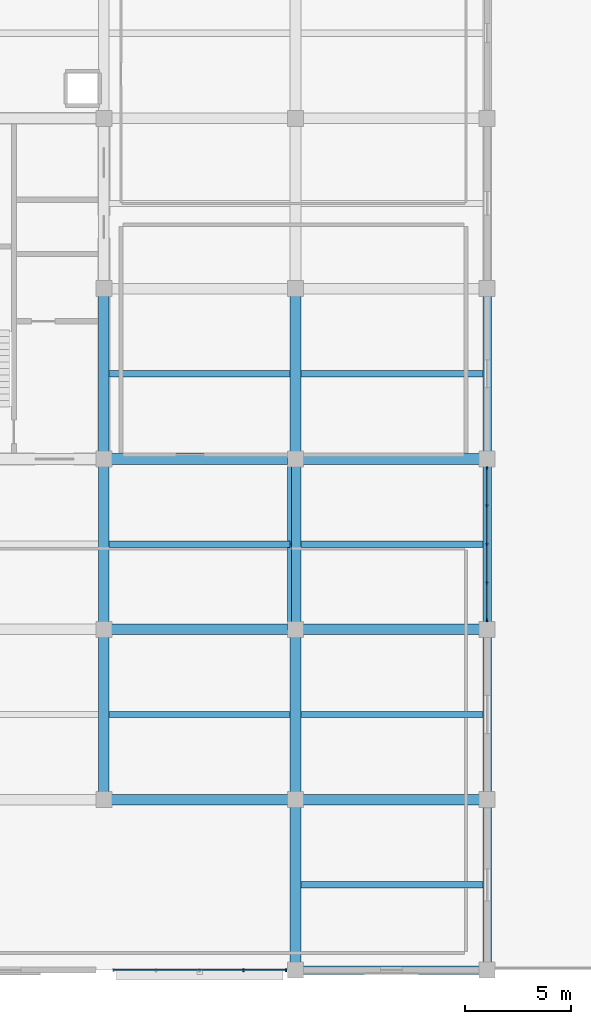
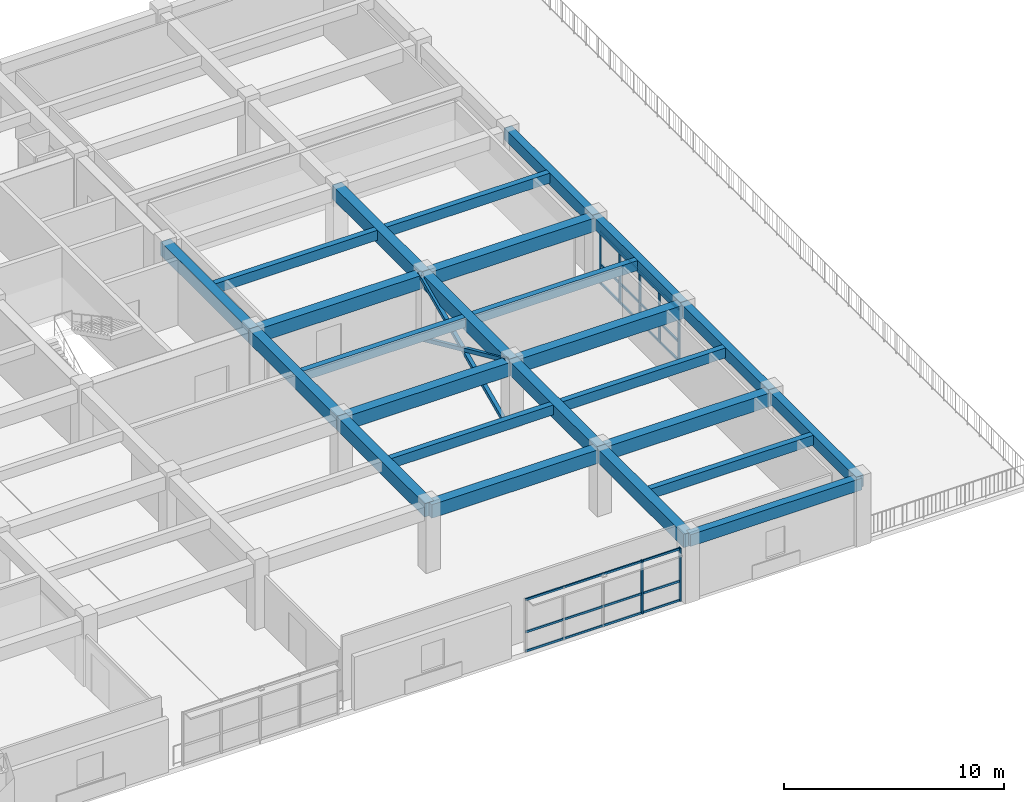
# One storey, part 6 of 15: 25 beams, 15 members, 2 elements without a shape of their own.
"""IFC4 building model written with IfcOpenShell, lengths in metres."""

from ifc_helpers import new_model, si_unit, direction, frame, origin, origin_2d, place, context, subcontext, project, spatial, rectangle, hollow_rectangle, extrude, material, material_profile, profile_set, type_object, element, aggregate, save


model = new_model("IFC4")

# Units and contexts
model_context = context("Model", 3, precision=1e-05, world=origin(), true_north=direction((0.0, 1.0)))
body_context = subcontext(model_context, "Body", "Model", "MODEL_VIEW")
ifc_project = project(units=[si_unit("LENGTHUNIT", "METRE"), si_unit("AREAUNIT", "SQUARE_METRE"), si_unit("VOLUMEUNIT", "CUBIC_METRE"), si_unit("PLANEANGLEUNIT", "RADIAN"), si_unit("MASSUNIT", "GRAM", prefix="KILO")], contexts=[model_context])

# Site, building, storey
site_placement = place(None, origin())
site = spatial("IfcSite", under=ifc_project, at=site_placement, CompositionType="ELEMENT")
building_placement = place(site_placement, origin())
building = spatial("IfcBuilding", under=site, at=building_placement, Name="Zaverband Oceanarium and Marine Research Institute", CompositionType="ELEMENT")
storey_placement = place(building_placement, frame((0.0, 0.0, 45.300048828125)))
storey = spatial("IfcBuildingStorey", under=building, at=storey_placement, Name="L11", CompositionType="ELEMENT", Elevation=45.300048828125)

# Beams
ifc_material_1 = material(Name="Concrete C40/50", Category="concrete")
ifc_material_profile_1 = material_profile(ifc_material_1, rectangle(XDim=0.5, YDim=0.75, at=origin_2d()), Name="RC500x750")
ifc_profile_set_1 = profile_set([ifc_material_profile_1], Name="Concrete C40/50")
beam_type_1 = type_object("IfcBeamType", Name="BM-500x750", PredefinedType="BEAM", material=ifc_profile_set_1)
for number, where, z_axis, x_axis, name in (
    (1, (45.0, 72.0, 3.244873046875), (1.0, 0.0, 0.0), (0.0, 1.0, 0.0), "Primary floor girder BM-500x750"),
    (2, (54.0, 72.0, 3.244873046875), (1.0, 0.0, 0.0), (0.0, 1.0, 0.0), "Primary floor girder BM-500x750"),
    (3, (45.0, 80.0, 3.244873046875), (1.0, 0.0, 0.0), (0.0, 1.0, 0.0), "Primary floor girder BM-500x750"),
    (4, (54.0, 80.0, 3.244873046875), (1.0, 0.0, 0.0), (0.0, 1.0, 0.0), "Primary floor girder BM-500x750"),
    (5, (45.0, 88.0, 3.244873046875), (1.0, 0.0, 0.0), (0.0, 1.0, 0.0), "Primary floor girder BM-500x750"),
    (6, (54.0, 88.0, 3.244873046875), (1.0, 0.0, 0.0), (0.0, 1.0, 0.0), "Primary floor girder BM-500x750"),
):
    element("IfcBeam", number, at=place(storey_placement, frame(where, z_axis=z_axis, x_axis=x_axis)), inside=storey, type_object=beam_type_1, Name=name, PredefinedType="BEAM", context=body_context, shape_type="SweptSolid", body=[
        extrude(rectangle(XDim=0.5, YDim=0.75, at=origin_2d()), origin(), (0.0, 0.0, 1.0), 9.0),
    ])
for number, where, z_axis, x_axis, name in (
    (7, (45.0, 72.0, 3.244873046875), (0.0, 1.0, 0.0), (-1.0, 0.0, 0.0), "Primary floor girder BM-500x750"),
    (8, (45.0, 80.0, 3.244873046875), (0.0, 1.0, 0.0), (-1.0, 0.0, 0.0), "Primary floor girder BM-500x750"),
    (9, (45.0, 88.0, 3.244873046875), (0.0, 1.0, 0.0), (-1.0, 0.0, 0.0), "Primary floor girder BM-500x750"),
    (10, (54.0, 64.0, 3.244873046875), (0.0, 1.0, 0.0), (-1.0, 0.0, 0.0), "Primary floor girder BM-500x750"),
    (11, (54.0, 72.0, 3.244873046875), (0.0, 1.0, 0.0), (-1.0, 0.0, 0.0), "Primary floor girder BM-500x750"),
    (12, (54.0, 80.0, 3.244873046875), (0.0, 1.0, 0.0), (-1.0, 0.0, 0.0), "Primary floor girder BM-500x750"),
    (13, (54.0, 88.0, 3.244873046875), (0.0, 1.0, 0.0), (-1.0, 0.0, 0.0), "Primary floor girder BM-500x750"),
):
    element("IfcBeam", number, at=place(storey_placement, frame(where, z_axis=z_axis, x_axis=x_axis)), inside=storey, type_object=beam_type_1, Name=name, PredefinedType="BEAM", context=body_context, shape_type="SweptSolid", body=[
        extrude(rectangle(XDim=0.5, YDim=0.75, at=origin_2d()), origin(), (0.0, 0.0, 1.0), 8.0),
    ])

# Members
ifc_material_2 = material(Name="Steel S355", Category="steel")
ifc_material_profile_2 = material_profile(ifc_material_2, hollow_rectangle(XDim=0.199951171875, YDim=0.199951171875, WallThickness=0.010009765625, at=origin_2d()), Name="SHS200x200x10")
ifc_profile_set_2 = profile_set([ifc_material_profile_2], Name="Steel S355")
member_type_1 = type_object("IfcMemberType", Name="BR-03", PredefinedType="BRACE", material=ifc_profile_set_2)
for number, where, z_axis, x_axis, name in (
    (14, (53.719970703125, 80.0, 0.0), (0.0, 0.911072618573, 0.412245901965), (-1.0, 0.0, 0.0), "Diagonal lateral brace BR-03"),
    (15, (53.719970703125, 88.0, 0.0), (0.0, -0.911072618573, 0.412245901965), (1.0, 0.0, 0.0), "Diagonal lateral brace BR-03"),
):
    element("IfcMember", number, at=place(storey_placement, frame(where, z_axis=z_axis, x_axis=x_axis)), inside=storey, type_object=member_type_1, Name=name, PredefinedType="BRACE", context=body_context, shape_type="SweptSolid", body=[
        extrude(hollow_rectangle(XDim=0.199951171875, YDim=0.199951171875, WallThickness=0.010009765625, at=origin_2d()), origin(), (0.0, 0.0, 1.0), 8.78076171875),
    ])

# Beams
ifc_material_profile_3 = material_profile(ifc_material_1, rectangle(XDim=0.300048828125, YDim=0.550048828125, at=origin_2d()), Name="RC300x550")
ifc_profile_set_3 = profile_set([ifc_material_profile_3], Name="Concrete C40/50")
beam_type_2 = type_object("IfcBeamType", Name="JST-300x550", PredefinedType="JOIST", material=ifc_profile_set_3)
for number, where, z_axis, x_axis, name in (
    (16, (45.25, 76.0, 3.344970703125), (1.0, 0.0, 0.0), (0.0, 1.0, 0.0), "Secondary floor joist JST-300x550"),
    (17, (45.25, 84.0, 3.344970703125), (1.0, 0.0, 0.0), (0.0, 1.0, 0.0), "Secondary floor joist JST-300x550"),
    (18, (45.25, 92.0, 3.344970703125), (1.0, 0.0, 0.0), (0.0, 1.0, 0.0), "Secondary floor joist JST-300x550"),
):
    element("IfcBeam", number, at=place(storey_placement, frame(where, z_axis=z_axis, x_axis=x_axis)), inside=storey, type_object=beam_type_2, Name=name, PredefinedType="JOIST", context=body_context, shape_type="SweptSolid", body=[
        extrude(rectangle(XDim=0.300048828125, YDim=0.550048828125, at=origin_2d()), origin(), (0.0, 0.0, 1.0), 8.5),
    ])
for number, where, z_axis, x_axis, name in (
    (19, (54.25, 68.0, 3.344970703125), (1.0, 0.0, 0.0), (0.0, 1.0, 0.0), "Secondary floor joist JST-300x550"),
    (20, (54.25, 76.0, 3.344970703125), (1.0, 0.0, 0.0), (0.0, 1.0, 0.0), "Secondary floor joist JST-300x550"),
    (21, (54.25, 84.0, 3.344970703125), (1.0, 0.0, 0.0), (0.0, 1.0, 0.0), "Secondary floor joist JST-300x550"),
    (22, (54.25, 92.0, 3.344970703125), (1.0, 0.0, 0.0), (0.0, 1.0, 0.0), "Secondary floor joist JST-300x550"),
):
    element("IfcBeam", number, at=place(storey_placement, frame(where, z_axis=z_axis, x_axis=x_axis)), inside=storey, type_object=beam_type_2, Name=name, PredefinedType="JOIST", context=body_context, shape_type="SweptSolid", body=[
        extrude(rectangle(XDim=0.300048828125, YDim=0.550048828125, at=origin_2d()), origin(), (0.0, 0.0, 1.0), 8.550048828125),
    ])

# Curtain wall, members
ifc_material_3 = material(Name="Thermally broken anodized aluminium and solar-control glass", Category="aluminium")
curtain_wall_type = type_object("IfcCurtainWallType", Name="CW-UNIT-1800", PredefinedType="NOTDEFINED", material=ifc_material_3)
curtain_wall_1_placement = place(storey_placement, origin())
curtain_wall_1 = element("IfcCurtainWall", 23, at=curtain_wall_1_placement, inside=storey, type_object=curtain_wall_type, Name="Unitised glazed curtain wall CW-123", PredefinedType="NOTDEFINED")
ifc_material_4 = material(Name="Thermally broken anodized aluminium", Category="aluminium")
ifc_material_profile_4 = material_profile(ifc_material_4, rectangle(XDim=0.070068359375, YDim=0.14990234375, at=origin_2d()), Name="AL-MUL-70x150")
ifc_profile_set_4 = profile_set([ifc_material_profile_4], Name="Thermally broken anodized aluminium")
member_type_2 = type_object("IfcMemberType", Name="MUL-70x150", PredefinedType="MULLION", material=ifc_profile_set_4)
member_1_placement = place(storey_placement, frame((51.56005859375, 64.0, 0.0), z_axis=(0.0, 0.0, 1.0), x_axis=(1.0, 0.0, 0.0)))
member_1 = element("IfcMember", 24, at=member_1_placement, type_object=member_type_2, Name="Curtain wall vertical mullion MUL-70x150", PredefinedType="MULLION", context=body_context, shape_type="SweptSolid", body=[
    extrude(rectangle(XDim=0.070068359375, YDim=0.14990234375, at=origin_2d()), origin(), (0.0, 0.0, 1.0), 2.949951171875),
])
member_2_placement = place(storey_placement, frame((53.56005859375, 64.0, 0.0), z_axis=(0.0, 0.0, 1.0), x_axis=(1.0, 0.0, 0.0)))
member_2 = element("IfcMember", 25, at=member_2_placement, type_object=member_type_2, Name="Curtain wall vertical mullion MUL-70x150", PredefinedType="MULLION", context=body_context, shape_type="SweptSolid", body=[
    extrude(rectangle(XDim=0.070068359375, YDim=0.14990234375, at=origin_2d()), origin(), (0.0, 0.0, 1.0), 2.949951171875),
])

curtain_wall_2_placement = place(storey_placement, origin())
curtain_wall_2 = element("IfcCurtainWall", 26, at=curtain_wall_2_placement, inside=storey, type_object=curtain_wall_type, Name="Unitised glazed curtain wall CW-129", PredefinedType="NOTDEFINED")
member_3_placement = place(storey_placement, frame((63.0, 80.43994140625, 0.0), z_axis=(0.0, 0.0, 1.0), x_axis=(1.0, 0.0, 0.0)))
member_3 = element("IfcMember", 27, at=member_3_placement, type_object=member_type_2, Name="Curtain wall vertical mullion MUL-70x150", PredefinedType="MULLION", context=body_context, shape_type="SweptSolid", body=[
    extrude(rectangle(XDim=0.070068359375, YDim=0.14990234375, at=origin_2d()), origin(), (0.0, 0.0, 1.0), 2.949951171875),
])
member_4_placement = place(storey_placement, frame((63.0, 82.18994140625, 0.0), z_axis=(0.0, 0.0, 1.0), x_axis=(1.0, 0.0, 0.0)))
member_4 = element("IfcMember", 28, at=member_4_placement, type_object=member_type_2, Name="Curtain wall vertical mullion MUL-70x150", PredefinedType="MULLION", context=body_context, shape_type="SweptSolid", body=[
    extrude(rectangle(XDim=0.070068359375, YDim=0.14990234375, at=origin_2d()), origin(), (0.0, 0.0, 1.0), 2.949951171875),
])
member_5_placement = place(storey_placement, frame((63.0, 84.0, 0.0), z_axis=(0.0, 0.0, 1.0), x_axis=(1.0, 0.0, 0.0)))
member_5 = element("IfcMember", 29, at=member_5_placement, type_object=member_type_2, Name="Curtain wall vertical mullion MUL-70x150", PredefinedType="MULLION", context=body_context, shape_type="SweptSolid", body=[
    extrude(rectangle(XDim=0.070068359375, YDim=0.14990234375, at=origin_2d()), origin(), (0.0, 0.0, 1.0), 2.949951171875),
])
member_6_placement = place(storey_placement, frame((63.0, 85.81005859375, 0.0), z_axis=(0.0, 0.0, 1.0), x_axis=(1.0, 0.0, 0.0)))
member_6 = element("IfcMember", 30, at=member_6_placement, type_object=member_type_2, Name="Curtain wall vertical mullion MUL-70x150", PredefinedType="MULLION", context=body_context, shape_type="SweptSolid", body=[
    extrude(rectangle(XDim=0.070068359375, YDim=0.14990234375, at=origin_2d()), origin(), (0.0, 0.0, 1.0), 2.949951171875),
])
member_7_placement = place(storey_placement, frame((63.0, 87.56005859375, 0.0), z_axis=(0.0, 0.0, 1.0), x_axis=(1.0, 0.0, 0.0)))
member_7 = element("IfcMember", 31, at=member_7_placement, type_object=member_type_2, Name="Curtain wall vertical mullion MUL-70x150", PredefinedType="MULLION", context=body_context, shape_type="SweptSolid", body=[
    extrude(rectangle(XDim=0.070068359375, YDim=0.14990234375, at=origin_2d()), origin(), (0.0, 0.0, 1.0), 2.949951171875),
])

# Beams
ifc_material_profile_5 = material_profile(ifc_material_1, rectangle(XDim=0.39990234375, YDim=0.64990234375, at=origin_2d()), Name="RC400x650")
ifc_profile_set_5 = profile_set([ifc_material_profile_5], Name="Concrete C40/50")
beam_type_3 = type_object("IfcBeamType", Name="SPN-400x650", PredefinedType="SPANDREL", material=ifc_profile_set_5)
beam_placement = place(storey_placement, frame((54.0, 64.0, 3.294921875), z_axis=(1.0, 0.0, 0.0), x_axis=(0.0, 1.0, 0.0)))
element("IfcBeam", 32, at=beam_placement, inside=storey, type_object=beam_type_3, Name="Perimeter spandrel beam SPN-400x650", PredefinedType="SPANDREL", context=body_context, shape_type="SweptSolid", body=[
    extrude(rectangle(XDim=0.39990234375, YDim=0.64990234375, at=origin_2d()), origin(), (0.0, 0.0, 1.0), 9.0),
])
for number, where, z_axis, x_axis, name in (
    (33, (63.0, 64.0, 3.294921875), (0.0, 1.0, 0.0), (-1.0, 0.0, 0.0), "Perimeter spandrel beam SPN-400x650"),
    (34, (63.0, 72.0, 3.294921875), (0.0, 1.0, 0.0), (-1.0, 0.0, 0.0), "Perimeter spandrel beam SPN-400x650"),
    (35, (63.0, 80.0, 3.294921875), (0.0, 1.0, 0.0), (-1.0, 0.0, 0.0), "Perimeter spandrel beam SPN-400x650"),
    (36, (63.0, 88.0, 3.294921875), (0.0, 1.0, 0.0), (-1.0, 0.0, 0.0), "Perimeter spandrel beam SPN-400x650"),
):
    element("IfcBeam", number, at=place(storey_placement, frame(where, z_axis=z_axis, x_axis=x_axis)), inside=storey, type_object=beam_type_3, Name=name, PredefinedType="SPANDREL", context=body_context, shape_type="SweptSolid", body=[
        extrude(rectangle(XDim=0.39990234375, YDim=0.64990234375, at=origin_2d()), origin(), (0.0, 0.0, 1.0), 8.0),
    ])

# Member
ifc_material_profile_6 = material_profile(ifc_material_4, rectangle(XDim=0.070068359375, YDim=0.114990234375, at=origin_2d()), Name="AL-TRN-70x115")
ifc_profile_set_6 = profile_set([ifc_material_profile_6], Name="Thermally broken anodized aluminium")
member_type_3 = type_object("IfcMemberType", Name="TRN-70x115", PredefinedType="USERDEFINED", material=ifc_profile_set_6)
member_8_placement = place(storey_placement, frame((45.43994140625, 64.0, 0.050048828125), z_axis=(1.0, 0.0, 0.0), x_axis=(0.0, 1.0, 0.0)))
member_8 = element("IfcMember", 37, at=member_8_placement, type_object=member_type_3, Name="Curtain wall horizontal transom TRN-70x115", ObjectType="TRANSOM", PredefinedType="USERDEFINED", context=body_context, shape_type="SweptSolid", body=[
    extrude(rectangle(XDim=0.070068359375, YDim=0.114990234375, at=origin_2d()), origin(), (0.0, 0.0, 1.0), 8.1201171875),
])

member_9_placement = place(storey_placement, frame((45.43994140625, 64.0, 1.112060546875), z_axis=(1.0, 0.0, 0.0), x_axis=(0.0, 1.0, 0.0)))
member_9 = element("IfcMember", 38, at=member_9_placement, type_object=member_type_3, Name="Curtain wall horizontal transom TRN-70x115", ObjectType="TRANSOM", PredefinedType="USERDEFINED", context=body_context, shape_type="SweptSolid", body=[
    extrude(rectangle(XDim=0.070068359375, YDim=0.114990234375, at=origin_2d()), origin(), (0.0, 0.0, 1.0), 8.1201171875),
])

member_10_placement = place(storey_placement, frame((45.43994140625, 64.0, 2.89990234375), z_axis=(1.0, 0.0, 0.0), x_axis=(0.0, 1.0, 0.0)))
member_10 = element("IfcMember", 39, at=member_10_placement, type_object=member_type_3, Name="Curtain wall horizontal transom TRN-70x115", ObjectType="TRANSOM", PredefinedType="USERDEFINED", context=body_context, shape_type="SweptSolid", body=[
    extrude(rectangle(XDim=0.070068359375, YDim=0.114990234375, at=origin_2d()), origin(), (0.0, 0.0, 1.0), 8.1201171875),
])

aggregate(curtain_wall_1, [member_1, member_2, member_8, member_9, member_10])

member_11_placement = place(storey_placement, frame((63.0, 80.43994140625, 0.050048828125), z_axis=(0.0, 1.0, 0.0), x_axis=(-1.0, 0.0, 0.0)))
member_11 = element("IfcMember", 40, at=member_11_placement, type_object=member_type_3, Name="Curtain wall horizontal transom TRN-70x115", ObjectType="TRANSOM", PredefinedType="USERDEFINED", context=body_context, shape_type="SweptSolid", body=[
    extrude(rectangle(XDim=0.070068359375, YDim=0.114990234375, at=origin_2d()), origin(), (0.0, 0.0, 1.0), 7.1201171875),
])

member_12_placement = place(storey_placement, frame((63.0, 80.43994140625, 1.112060546875), z_axis=(0.0, 1.0, 0.0), x_axis=(-1.0, 0.0, 0.0)))
member_12 = element("IfcMember", 41, at=member_12_placement, type_object=member_type_3, Name="Curtain wall horizontal transom TRN-70x115", ObjectType="TRANSOM", PredefinedType="USERDEFINED", context=body_context, shape_type="SweptSolid", body=[
    extrude(rectangle(XDim=0.070068359375, YDim=0.114990234375, at=origin_2d()), origin(), (0.0, 0.0, 1.0), 7.1201171875),
])

member_13_placement = place(storey_placement, frame((63.0, 80.43994140625, 2.89990234375), z_axis=(0.0, 1.0, 0.0), x_axis=(-1.0, 0.0, 0.0)))
member_13 = element("IfcMember", 42, at=member_13_placement, type_object=member_type_3, Name="Curtain wall horizontal transom TRN-70x115", ObjectType="TRANSOM", PredefinedType="USERDEFINED", context=body_context, shape_type="SweptSolid", body=[
    extrude(rectangle(XDim=0.070068359375, YDim=0.114990234375, at=origin_2d()), origin(), (0.0, 0.0, 1.0), 7.1201171875),
])

aggregate(curtain_wall_2, [member_3, member_4, member_5, member_6, member_7, member_11, member_12, member_13])

save(model, "model.ifc")
